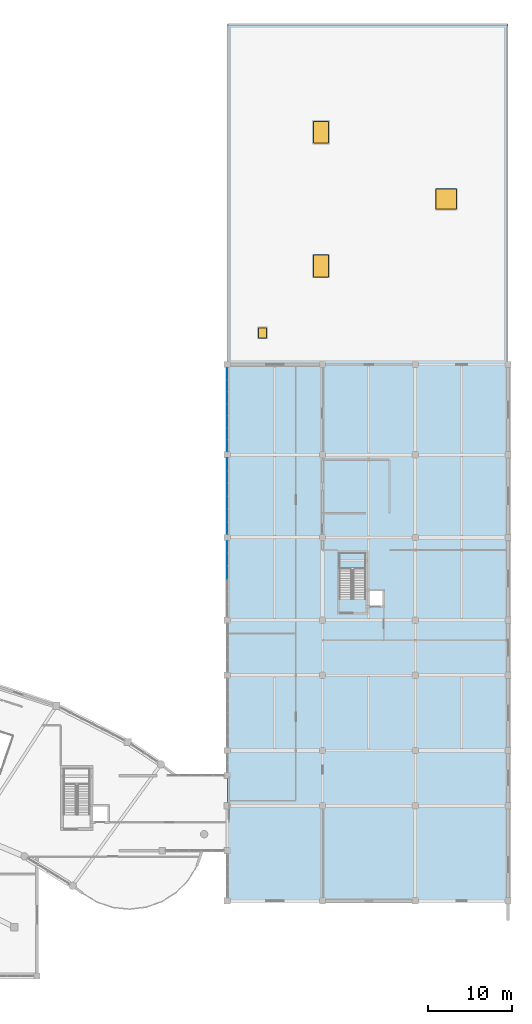
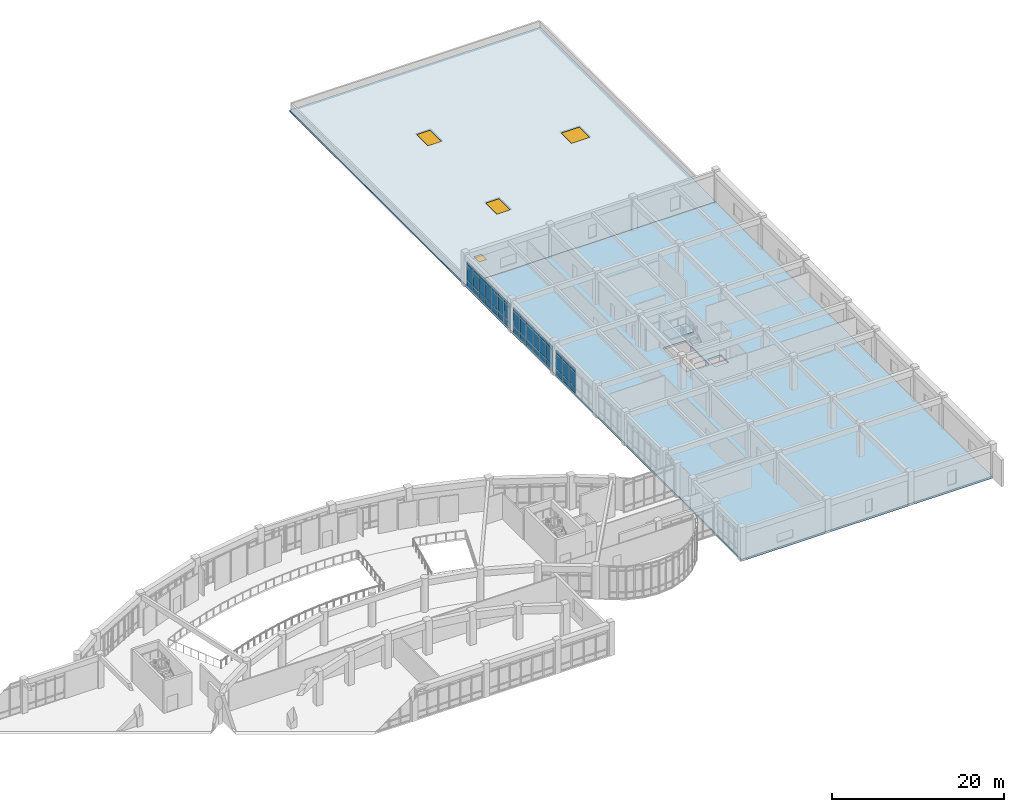
# One storey, part 47 of 68: 48 plates, 3 slabs, 3 windows, 1 door, 4 openings, 4 elements without a shape of their own.
"""IFC4 building model written with IfcOpenShell, lengths in metres."""

from ifc_helpers import new_model, si_unit, direction, frame, origin, origin_2d, place, context, subcontext, project, spatial, polyline, rectangle, outline, extrude, material, layer, layer_set, type_object, element, fill, aggregate, save


model = new_model("IFC4")

# Units and contexts
model_context = context("Model", 3, precision=1e-05, world=origin(), true_north=direction((0.0, 1.0)))
body_context = subcontext(model_context, "Body", "Model", "MODEL_VIEW")
ifc_project = project(units=[si_unit("LENGTHUNIT", "METRE"), si_unit("AREAUNIT", "SQUARE_METRE"), si_unit("VOLUMEUNIT", "CUBIC_METRE"), si_unit("PLANEANGLEUNIT", "RADIAN"), si_unit("MASSUNIT", "GRAM", prefix="KILO")], contexts=[model_context])

# Site, building, storey
site_placement = place(None, origin())
site = spatial("IfcSite", under=ifc_project, at=site_placement, CompositionType="ELEMENT")
building_placement = place(site_placement, origin())
building = spatial("IfcBuilding", under=site, at=building_placement, Name="Miralva Faculty of Natural Sciences", CompositionType="ELEMENT")
storey_placement = place(building_placement, frame((0.0, 0.0, 5.39990234375)))
storey = spatial("IfcBuildingStorey", under=building, at=storey_placement, Name="L01", CompositionType="ELEMENT", Elevation=5.39990234375)

# Curtain wall, plates
ifc_material_1 = material(Name="Laminated solar-control glass", Category="glass")
ifc_layer_1 = layer(ifc_material_1, 0.179931640625, Name="CW-COM-L01")
ifc_layer_set_1 = layer_set([ifc_layer_1], Name="Laminated solar-control glass")
curtain_wall_type = type_object("IfcCurtainWallType", Name="CW-COM-L01", PredefinedType="USERDEFINED", material=ifc_layer_set_1)
curtain_wall_1_placement = place(storey_placement, origin())
curtain_wall_1 = element("IfcCurtainWall", 1, at=curtain_wall_1_placement, inside=storey, type_object=curtain_wall_type, Name="Curtain wall CW-10 L01-265", ObjectType="UNITISED CURTAIN WALL", PredefinedType="USERDEFINED")
ifc_layer_2 = layer(ifc_material_1, 0.028076171875, Name="PNL-P01")
ifc_layer_set_2 = layer_set([ifc_layer_2], Name="Laminated solar-control glass")
plate_type = type_object("IfcPlateType", Name="PNL-P01", PredefinedType="CURTAIN_PANEL", material=ifc_layer_set_2)
plate_1_placement = place(storey_placement, frame((133.800048828125, 51.314208984375, 0.06005859375), z_axis=(0.0, 0.0, 1.0), x_axis=(0.0, 1.0, 0.0)))
plate_1 = element("IfcPlate", 2, at=plate_1_placement, type_object=plate_type, Name="CW-10 panel 4.1", PredefinedType="CURTAIN_PANEL", context=body_context, shape_type="SweptSolid", body=[
    extrude(rectangle(XDim=1.46826171875, YDim=0.028076171875, at=origin_2d()), origin(), (0.0, 0.0, 1.0), 0.81005859375),
])
plate_2_placement = place(storey_placement, frame((133.800048828125, 51.314208984375, 0.93017578125), z_axis=(0.0, 0.0, 1.0), x_axis=(0.0, 1.0, 0.0)))
plate_2 = element("IfcPlate", 3, at=plate_2_placement, type_object=plate_type, Name="CW-10 panel 4.2", PredefinedType="CURTAIN_PANEL", context=body_context, shape_type="SweptSolid", body=[
    extrude(rectangle(XDim=1.46826171875, YDim=0.028076171875, at=origin_2d()), origin(), (0.0, 0.0, 1.0), 2.06494140625),
])
plate_3_placement = place(storey_placement, frame((133.800048828125, 51.314208984375, 3.05517578125), z_axis=(0.0, 0.0, 1.0), x_axis=(0.0, 1.0, 0.0)))
plate_3 = element("IfcPlate", 4, at=plate_3_placement, type_object=plate_type, Name="CW-10 panel 4.3", PredefinedType="CURTAIN_PANEL", context=body_context, shape_type="SweptSolid", body=[
    extrude(rectangle(XDim=1.46826171875, YDim=0.028076171875, at=origin_2d()), origin(), (0.0, 0.0, 1.0), 0.510009765625),
])
plate_4_placement = place(storey_placement, frame((133.800048828125, 52.842529296875, 0.06005859375), z_axis=(0.0, 0.0, 1.0), x_axis=(0.0, 1.0, 0.0)))
plate_4 = element("IfcPlate", 5, at=plate_4_placement, type_object=plate_type, Name="CW-10 panel 5.1", PredefinedType="CURTAIN_PANEL", context=body_context, shape_type="SweptSolid", body=[
    extrude(rectangle(XDim=1.46826171875, YDim=0.028076171875, at=origin_2d()), origin(), (0.0, 0.0, 1.0), 0.81005859375),
])
plate_5_placement = place(storey_placement, frame((133.800048828125, 52.842529296875, 0.93017578125), z_axis=(0.0, 0.0, 1.0), x_axis=(0.0, 1.0, 0.0)))
plate_5 = element("IfcPlate", 6, at=plate_5_placement, type_object=plate_type, Name="CW-10 panel 5.2", PredefinedType="CURTAIN_PANEL", context=body_context, shape_type="SweptSolid", body=[
    extrude(rectangle(XDim=1.46826171875, YDim=0.028076171875, at=origin_2d()), origin(), (0.0, 0.0, 1.0), 2.06494140625),
])
plate_6_placement = place(storey_placement, frame((133.800048828125, 52.842529296875, 3.05517578125), z_axis=(0.0, 0.0, 1.0), x_axis=(0.0, 1.0, 0.0)))
plate_6 = element("IfcPlate", 7, at=plate_6_placement, type_object=plate_type, Name="CW-10 panel 5.3", PredefinedType="CURTAIN_PANEL", context=body_context, shape_type="SweptSolid", body=[
    extrude(rectangle(XDim=1.46826171875, YDim=0.028076171875, at=origin_2d()), origin(), (0.0, 0.0, 1.0), 0.510009765625),
])
plate_7_placement = place(storey_placement, frame((133.800048828125, 54.355712890625, 0.06005859375), z_axis=(0.0, 0.0, 1.0), x_axis=(0.0, 1.0, 0.0)))
plate_7 = element("IfcPlate", 8, at=plate_7_placement, type_object=plate_type, Name="CW-10 panel 6.1", PredefinedType="CURTAIN_PANEL", context=body_context, shape_type="SweptSolid", body=[
    extrude(rectangle(XDim=1.438232421875, YDim=0.028076171875, at=origin_2d()), origin(), (0.0, 0.0, 1.0), 0.81005859375),
])
plate_8_placement = place(storey_placement, frame((133.800048828125, 54.355712890625, 0.93017578125), z_axis=(0.0, 0.0, 1.0), x_axis=(0.0, 1.0, 0.0)))
plate_8 = element("IfcPlate", 9, at=plate_8_placement, type_object=plate_type, Name="CW-10 panel 6.2", PredefinedType="CURTAIN_PANEL", context=body_context, shape_type="SweptSolid", body=[
    extrude(rectangle(XDim=1.438232421875, YDim=0.028076171875, at=origin_2d()), origin(), (0.0, 0.0, 1.0), 2.06494140625),
])
plate_9_placement = place(storey_placement, frame((133.800048828125, 54.355712890625, 3.05517578125), z_axis=(0.0, 0.0, 1.0), x_axis=(0.0, 1.0, 0.0)))
plate_9 = element("IfcPlate", 10, at=plate_9_placement, type_object=plate_type, Name="CW-10 panel 6.3", PredefinedType="CURTAIN_PANEL", context=body_context, shape_type="SweptSolid", body=[
    extrude(rectangle(XDim=1.438232421875, YDim=0.028076171875, at=origin_2d()), origin(), (0.0, 0.0, 1.0), 0.510009765625),
])
aggregate(curtain_wall_1, [plate_1, plate_2, plate_3, plate_4, plate_5, plate_6, plate_7, plate_8, plate_9])

curtain_wall_2_placement = place(storey_placement, origin())
curtain_wall_2 = element("IfcCurtainWall", 11, at=curtain_wall_2_placement, inside=storey, type_object=curtain_wall_type, Name="Curtain wall CW-10 L01-266", ObjectType="UNITISED CURTAIN WALL", PredefinedType="USERDEFINED")
plate_10_placement = place(storey_placement, frame((133.800048828125, 56.644287109375, 0.06005859375), z_axis=(0.0, 0.0, 1.0), x_axis=(0.0, 1.0, 0.0)))
plate_10 = element("IfcPlate", 12, at=plate_10_placement, type_object=plate_type, Name="CW-10 panel 1.1", PredefinedType="CURTAIN_PANEL", context=body_context, shape_type="SweptSolid", body=[
    extrude(rectangle(XDim=1.438232421875, YDim=0.028076171875, at=origin_2d()), origin(), (0.0, 0.0, 1.0), 0.81005859375),
])
plate_11_placement = place(storey_placement, frame((133.800048828125, 56.644287109375, 0.93017578125), z_axis=(0.0, 0.0, 1.0), x_axis=(0.0, 1.0, 0.0)))
plate_11 = element("IfcPlate", 13, at=plate_11_placement, type_object=plate_type, Name="CW-10 panel 1.2", PredefinedType="CURTAIN_PANEL", context=body_context, shape_type="SweptSolid", body=[
    extrude(rectangle(XDim=1.438232421875, YDim=0.028076171875, at=origin_2d()), origin(), (0.0, 0.0, 1.0), 2.06494140625),
])
plate_12_placement = place(storey_placement, frame((133.800048828125, 56.644287109375, 3.05517578125), z_axis=(0.0, 0.0, 1.0), x_axis=(0.0, 1.0, 0.0)))
plate_12 = element("IfcPlate", 14, at=plate_12_placement, type_object=plate_type, Name="CW-10 panel 1.3", PredefinedType="CURTAIN_PANEL", context=body_context, shape_type="SweptSolid", body=[
    extrude(rectangle(XDim=1.438232421875, YDim=0.028076171875, at=origin_2d()), origin(), (0.0, 0.0, 1.0), 0.510009765625),
])
plate_13_placement = place(storey_placement, frame((133.800048828125, 58.157470703125, 0.06005859375), z_axis=(0.0, 0.0, 1.0), x_axis=(0.0, 1.0, 0.0)))
plate_13 = element("IfcPlate", 15, at=plate_13_placement, type_object=plate_type, Name="CW-10 panel 2.1", PredefinedType="CURTAIN_PANEL", context=body_context, shape_type="SweptSolid", body=[
    extrude(rectangle(XDim=1.46826171875, YDim=0.028076171875, at=origin_2d()), origin(), (0.0, 0.0, 1.0), 0.81005859375),
])
plate_14_placement = place(storey_placement, frame((133.800048828125, 58.157470703125, 0.93017578125), z_axis=(0.0, 0.0, 1.0), x_axis=(0.0, 1.0, 0.0)))
plate_14 = element("IfcPlate", 16, at=plate_14_placement, type_object=plate_type, Name="CW-10 panel 2.2", PredefinedType="CURTAIN_PANEL", context=body_context, shape_type="SweptSolid", body=[
    extrude(rectangle(XDim=1.46826171875, YDim=0.028076171875, at=origin_2d()), origin(), (0.0, 0.0, 1.0), 2.06494140625),
])
plate_15_placement = place(storey_placement, frame((133.800048828125, 58.157470703125, 3.05517578125), z_axis=(0.0, 0.0, 1.0), x_axis=(0.0, 1.0, 0.0)))
plate_15 = element("IfcPlate", 17, at=plate_15_placement, type_object=plate_type, Name="CW-10 panel 2.3", PredefinedType="CURTAIN_PANEL", context=body_context, shape_type="SweptSolid", body=[
    extrude(rectangle(XDim=1.46826171875, YDim=0.028076171875, at=origin_2d()), origin(), (0.0, 0.0, 1.0), 0.510009765625),
])
plate_16_placement = place(storey_placement, frame((133.800048828125, 59.685791015625, 0.06005859375), z_axis=(0.0, 0.0, 1.0), x_axis=(0.0, 1.0, 0.0)))
plate_16 = element("IfcPlate", 18, at=plate_16_placement, type_object=plate_type, Name="CW-10 panel 3.1", PredefinedType="CURTAIN_PANEL", context=body_context, shape_type="SweptSolid", body=[
    extrude(rectangle(XDim=1.46826171875, YDim=0.028076171875, at=origin_2d()), origin(), (0.0, 0.0, 1.0), 0.81005859375),
])
plate_17_placement = place(storey_placement, frame((133.800048828125, 59.685791015625, 0.93017578125), z_axis=(0.0, 0.0, 1.0), x_axis=(0.0, 1.0, 0.0)))
plate_17 = element("IfcPlate", 19, at=plate_17_placement, type_object=plate_type, Name="CW-10 panel 3.2", PredefinedType="CURTAIN_PANEL", context=body_context, shape_type="SweptSolid", body=[
    extrude(rectangle(XDim=1.46826171875, YDim=0.028076171875, at=origin_2d()), origin(), (0.0, 0.0, 1.0), 2.06494140625),
])
plate_18_placement = place(storey_placement, frame((133.800048828125, 59.685791015625, 3.05517578125), z_axis=(0.0, 0.0, 1.0), x_axis=(0.0, 1.0, 0.0)))
plate_18 = element("IfcPlate", 20, at=plate_18_placement, type_object=plate_type, Name="CW-10 panel 3.3", PredefinedType="CURTAIN_PANEL", context=body_context, shape_type="SweptSolid", body=[
    extrude(rectangle(XDim=1.46826171875, YDim=0.028076171875, at=origin_2d()), origin(), (0.0, 0.0, 1.0), 0.510009765625),
])
plate_19_placement = place(storey_placement, frame((133.800048828125, 61.214111328125, 0.06005859375), z_axis=(0.0, 0.0, 1.0), x_axis=(0.0, 1.0, 0.0)))
plate_19 = element("IfcPlate", 21, at=plate_19_placement, type_object=plate_type, Name="CW-10 panel 4.1", PredefinedType="CURTAIN_PANEL", context=body_context, shape_type="SweptSolid", body=[
    extrude(rectangle(XDim=1.46826171875, YDim=0.028076171875, at=origin_2d()), origin(), (0.0, 0.0, 1.0), 0.81005859375),
])
plate_20_placement = place(storey_placement, frame((133.800048828125, 61.214111328125, 0.93017578125), z_axis=(0.0, 0.0, 1.0), x_axis=(0.0, 1.0, 0.0)))
plate_20 = element("IfcPlate", 22, at=plate_20_placement, type_object=plate_type, Name="CW-10 panel 4.2", PredefinedType="CURTAIN_PANEL", context=body_context, shape_type="SweptSolid", body=[
    extrude(rectangle(XDim=1.46826171875, YDim=0.028076171875, at=origin_2d()), origin(), (0.0, 0.0, 1.0), 2.06494140625),
])
plate_21_placement = place(storey_placement, frame((133.800048828125, 61.214111328125, 3.05517578125), z_axis=(0.0, 0.0, 1.0), x_axis=(0.0, 1.0, 0.0)))
plate_21 = element("IfcPlate", 23, at=plate_21_placement, type_object=plate_type, Name="CW-10 panel 4.3", PredefinedType="CURTAIN_PANEL", context=body_context, shape_type="SweptSolid", body=[
    extrude(rectangle(XDim=1.46826171875, YDim=0.028076171875, at=origin_2d()), origin(), (0.0, 0.0, 1.0), 0.510009765625),
])
plate_22_placement = place(storey_placement, frame((133.800048828125, 62.742431640625, 0.06005859375), z_axis=(0.0, 0.0, 1.0), x_axis=(0.0, 1.0, 0.0)))
plate_22 = element("IfcPlate", 24, at=plate_22_placement, type_object=plate_type, Name="CW-10 panel 5.1", PredefinedType="CURTAIN_PANEL", context=body_context, shape_type="SweptSolid", body=[
    extrude(rectangle(XDim=1.46826171875, YDim=0.028076171875, at=origin_2d()), origin(), (0.0, 0.0, 1.0), 0.81005859375),
])
plate_23_placement = place(storey_placement, frame((133.800048828125, 62.742431640625, 0.93017578125), z_axis=(0.0, 0.0, 1.0), x_axis=(0.0, 1.0, 0.0)))
plate_23 = element("IfcPlate", 25, at=plate_23_placement, type_object=plate_type, Name="CW-10 panel 5.2", PredefinedType="CURTAIN_PANEL", context=body_context, shape_type="SweptSolid", body=[
    extrude(rectangle(XDim=1.46826171875, YDim=0.028076171875, at=origin_2d()), origin(), (0.0, 0.0, 1.0), 2.06494140625),
])
plate_24_placement = place(storey_placement, frame((133.800048828125, 62.742431640625, 3.05517578125), z_axis=(0.0, 0.0, 1.0), x_axis=(0.0, 1.0, 0.0)))
plate_24 = element("IfcPlate", 26, at=plate_24_placement, type_object=plate_type, Name="CW-10 panel 5.3", PredefinedType="CURTAIN_PANEL", context=body_context, shape_type="SweptSolid", body=[
    extrude(rectangle(XDim=1.46826171875, YDim=0.028076171875, at=origin_2d()), origin(), (0.0, 0.0, 1.0), 0.510009765625),
])
plate_25_placement = place(storey_placement, frame((133.800048828125, 64.255859375, 0.06005859375), z_axis=(0.0, 0.0, 1.0), x_axis=(0.0, 1.0, 0.0)))
plate_25 = element("IfcPlate", 27, at=plate_25_placement, type_object=plate_type, Name="CW-10 panel 6.1", PredefinedType="CURTAIN_PANEL", context=body_context, shape_type="SweptSolid", body=[
    extrude(rectangle(XDim=1.438232421875, YDim=0.028076171875, at=origin_2d()), origin(), (0.0, 0.0, 1.0), 0.81005859375),
])
plate_26_placement = place(storey_placement, frame((133.800048828125, 64.255859375, 0.93017578125), z_axis=(0.0, 0.0, 1.0), x_axis=(0.0, 1.0, 0.0)))
plate_26 = element("IfcPlate", 28, at=plate_26_placement, type_object=plate_type, Name="CW-10 panel 6.2", PredefinedType="CURTAIN_PANEL", context=body_context, shape_type="SweptSolid", body=[
    extrude(rectangle(XDim=1.438232421875, YDim=0.028076171875, at=origin_2d()), origin(), (0.0, 0.0, 1.0), 2.06494140625),
])
plate_27_placement = place(storey_placement, frame((133.800048828125, 64.255859375, 3.05517578125), z_axis=(0.0, 0.0, 1.0), x_axis=(0.0, 1.0, 0.0)))
plate_27 = element("IfcPlate", 29, at=plate_27_placement, type_object=plate_type, Name="CW-10 panel 6.3", PredefinedType="CURTAIN_PANEL", context=body_context, shape_type="SweptSolid", body=[
    extrude(rectangle(XDim=1.438232421875, YDim=0.028076171875, at=origin_2d()), origin(), (0.0, 0.0, 1.0), 0.510009765625),
])
aggregate(curtain_wall_2, [plate_10, plate_11, plate_12, plate_13, plate_14, plate_15, plate_16, plate_17, plate_18, plate_19, plate_20, plate_21, plate_22, plate_23, plate_24, plate_25, plate_26, plate_27])

curtain_wall_3_placement = place(storey_placement, origin())
curtain_wall_3 = element("IfcCurtainWall", 30, at=curtain_wall_3_placement, inside=storey, type_object=curtain_wall_type, Name="Curtain wall CW-10 L01-267", ObjectType="UNITISED CURTAIN WALL", PredefinedType="USERDEFINED")
plate_28_placement = place(storey_placement, frame((133.800048828125, 66.499267578125, 0.06005859375), z_axis=(0.0, 0.0, 1.0), x_axis=(0.0, 1.0, 0.0)))
plate_28 = element("IfcPlate", 31, at=plate_28_placement, type_object=plate_type, Name="CW-10 panel 1.1", PredefinedType="CURTAIN_PANEL", context=body_context, shape_type="SweptSolid", body=[
    extrude(rectangle(XDim=1.3486328125, YDim=0.028076171875, at=origin_2d()), origin(), (0.0, 0.0, 1.0), 0.81005859375),
])
plate_29_placement = place(storey_placement, frame((133.800048828125, 66.499267578125, 0.93017578125), z_axis=(0.0, 0.0, 1.0), x_axis=(0.0, 1.0, 0.0)))
plate_29 = element("IfcPlate", 32, at=plate_29_placement, type_object=plate_type, Name="CW-10 panel 1.2", PredefinedType="CURTAIN_PANEL", context=body_context, shape_type="SweptSolid", body=[
    extrude(rectangle(XDim=1.3486328125, YDim=0.028076171875, at=origin_2d()), origin(), (0.0, 0.0, 1.0), 2.06494140625),
])
plate_30_placement = place(storey_placement, frame((133.800048828125, 66.499267578125, 3.05517578125), z_axis=(0.0, 0.0, 1.0), x_axis=(0.0, 1.0, 0.0)))
plate_30 = element("IfcPlate", 33, at=plate_30_placement, type_object=plate_type, Name="CW-10 panel 1.3", PredefinedType="CURTAIN_PANEL", context=body_context, shape_type="SweptSolid", body=[
    extrude(rectangle(XDim=1.3486328125, YDim=0.028076171875, at=origin_2d()), origin(), (0.0, 0.0, 1.0), 0.510009765625),
])
plate_31_placement = place(storey_placement, frame((133.800048828125, 67.9228515625, 0.06005859375), z_axis=(0.0, 0.0, 1.0), x_axis=(0.0, 1.0, 0.0)))
plate_31 = element("IfcPlate", 34, at=plate_31_placement, type_object=plate_type, Name="CW-10 panel 2.1", PredefinedType="CURTAIN_PANEL", context=body_context, shape_type="SweptSolid", body=[
    extrude(rectangle(XDim=1.378662109375, YDim=0.028076171875, at=origin_2d()), origin(), (0.0, 0.0, 1.0), 0.81005859375),
])
plate_32_placement = place(storey_placement, frame((133.800048828125, 67.9228515625, 0.93017578125), z_axis=(0.0, 0.0, 1.0), x_axis=(0.0, 1.0, 0.0)))
plate_32 = element("IfcPlate", 35, at=plate_32_placement, type_object=plate_type, Name="CW-10 panel 2.2", PredefinedType="CURTAIN_PANEL", context=body_context, shape_type="SweptSolid", body=[
    extrude(rectangle(XDim=1.378662109375, YDim=0.028076171875, at=origin_2d()), origin(), (0.0, 0.0, 1.0), 2.06494140625),
])
plate_33_placement = place(storey_placement, frame((133.800048828125, 67.9228515625, 3.05517578125), z_axis=(0.0, 0.0, 1.0), x_axis=(0.0, 1.0, 0.0)))
plate_33 = element("IfcPlate", 36, at=plate_33_placement, type_object=plate_type, Name="CW-10 panel 2.3", PredefinedType="CURTAIN_PANEL", context=body_context, shape_type="SweptSolid", body=[
    extrude(rectangle(XDim=1.378662109375, YDim=0.028076171875, at=origin_2d()), origin(), (0.0, 0.0, 1.0), 0.510009765625),
])
plate_34_placement = place(storey_placement, frame((133.800048828125, 69.361328125, 0.06005859375), z_axis=(0.0, 0.0, 1.0), x_axis=(0.0, 1.0, 0.0)))
plate_34 = element("IfcPlate", 37, at=plate_34_placement, type_object=plate_type, Name="CW-10 panel 3.1", PredefinedType="CURTAIN_PANEL", context=body_context, shape_type="SweptSolid", body=[
    extrude(rectangle(XDim=1.378662109375, YDim=0.028076171875, at=origin_2d()), origin(), (0.0, 0.0, 1.0), 0.81005859375),
])
plate_35_placement = place(storey_placement, frame((133.800048828125, 69.361328125, 0.93017578125), z_axis=(0.0, 0.0, 1.0), x_axis=(0.0, 1.0, 0.0)))
plate_35 = element("IfcPlate", 38, at=plate_35_placement, type_object=plate_type, Name="CW-10 panel 3.2", PredefinedType="CURTAIN_PANEL", context=body_context, shape_type="SweptSolid", body=[
    extrude(rectangle(XDim=1.378662109375, YDim=0.028076171875, at=origin_2d()), origin(), (0.0, 0.0, 1.0), 2.06494140625),
])
plate_36_placement = place(storey_placement, frame((133.800048828125, 69.361328125, 3.05517578125), z_axis=(0.0, 0.0, 1.0), x_axis=(0.0, 1.0, 0.0)))
plate_36 = element("IfcPlate", 39, at=plate_36_placement, type_object=plate_type, Name="CW-10 panel 3.3", PredefinedType="CURTAIN_PANEL", context=body_context, shape_type="SweptSolid", body=[
    extrude(rectangle(XDim=1.378662109375, YDim=0.028076171875, at=origin_2d()), origin(), (0.0, 0.0, 1.0), 0.510009765625),
])
plate_37_placement = place(storey_placement, frame((133.800048828125, 70.800048828125, 0.06005859375), z_axis=(0.0, 0.0, 1.0), x_axis=(0.0, 1.0, 0.0)))
plate_37 = element("IfcPlate", 40, at=plate_37_placement, type_object=plate_type, Name="CW-10 panel 4.1", PredefinedType="CURTAIN_PANEL", context=body_context, shape_type="SweptSolid", body=[
    extrude(rectangle(XDim=1.378662109375, YDim=0.028076171875, at=origin_2d()), origin(), (0.0, 0.0, 1.0), 0.81005859375),
])
plate_38_placement = place(storey_placement, frame((133.800048828125, 70.800048828125, 0.93017578125), z_axis=(0.0, 0.0, 1.0), x_axis=(0.0, 1.0, 0.0)))
plate_38 = element("IfcPlate", 41, at=plate_38_placement, type_object=plate_type, Name="CW-10 panel 4.2", PredefinedType="CURTAIN_PANEL", context=body_context, shape_type="SweptSolid", body=[
    extrude(rectangle(XDim=1.378662109375, YDim=0.028076171875, at=origin_2d()), origin(), (0.0, 0.0, 1.0), 2.06494140625),
])
plate_39_placement = place(storey_placement, frame((133.800048828125, 70.800048828125, 3.05517578125), z_axis=(0.0, 0.0, 1.0), x_axis=(0.0, 1.0, 0.0)))
plate_39 = element("IfcPlate", 42, at=plate_39_placement, type_object=plate_type, Name="CW-10 panel 4.3", PredefinedType="CURTAIN_PANEL", context=body_context, shape_type="SweptSolid", body=[
    extrude(rectangle(XDim=1.378662109375, YDim=0.028076171875, at=origin_2d()), origin(), (0.0, 0.0, 1.0), 0.510009765625),
])
plate_40_placement = place(storey_placement, frame((133.800048828125, 72.238525390625, 0.06005859375), z_axis=(0.0, 0.0, 1.0), x_axis=(0.0, 1.0, 0.0)))
plate_40 = element("IfcPlate", 43, at=plate_40_placement, type_object=plate_type, Name="CW-10 panel 5.1", PredefinedType="CURTAIN_PANEL", context=body_context, shape_type="SweptSolid", body=[
    extrude(rectangle(XDim=1.378662109375, YDim=0.028076171875, at=origin_2d()), origin(), (0.0, 0.0, 1.0), 0.81005859375),
])
plate_41_placement = place(storey_placement, frame((133.800048828125, 72.238525390625, 0.93017578125), z_axis=(0.0, 0.0, 1.0), x_axis=(0.0, 1.0, 0.0)))
plate_41 = element("IfcPlate", 44, at=plate_41_placement, type_object=plate_type, Name="CW-10 panel 5.2", PredefinedType="CURTAIN_PANEL", context=body_context, shape_type="SweptSolid", body=[
    extrude(rectangle(XDim=1.378662109375, YDim=0.028076171875, at=origin_2d()), origin(), (0.0, 0.0, 1.0), 2.06494140625),
])
plate_42_placement = place(storey_placement, frame((133.800048828125, 72.238525390625, 3.05517578125), z_axis=(0.0, 0.0, 1.0), x_axis=(0.0, 1.0, 0.0)))
plate_42 = element("IfcPlate", 45, at=plate_42_placement, type_object=plate_type, Name="CW-10 panel 5.3", PredefinedType="CURTAIN_PANEL", context=body_context, shape_type="SweptSolid", body=[
    extrude(rectangle(XDim=1.378662109375, YDim=0.028076171875, at=origin_2d()), origin(), (0.0, 0.0, 1.0), 0.510009765625),
])
plate_43_placement = place(storey_placement, frame((133.800048828125, 73.67724609375, 0.06005859375), z_axis=(0.0, 0.0, 1.0), x_axis=(0.0, 1.0, 0.0)))
plate_43 = element("IfcPlate", 46, at=plate_43_placement, type_object=plate_type, Name="CW-10 panel 6.1", PredefinedType="CURTAIN_PANEL", context=body_context, shape_type="SweptSolid", body=[
    extrude(rectangle(XDim=1.378662109375, YDim=0.028076171875, at=origin_2d()), origin(), (0.0, 0.0, 1.0), 0.81005859375),
])
plate_44_placement = place(storey_placement, frame((133.800048828125, 73.67724609375, 0.93017578125), z_axis=(0.0, 0.0, 1.0), x_axis=(0.0, 1.0, 0.0)))
plate_44 = element("IfcPlate", 47, at=plate_44_placement, type_object=plate_type, Name="CW-10 panel 6.2", PredefinedType="CURTAIN_PANEL", context=body_context, shape_type="SweptSolid", body=[
    extrude(rectangle(XDim=1.378662109375, YDim=0.028076171875, at=origin_2d()), origin(), (0.0, 0.0, 1.0), 2.06494140625),
])
plate_45_placement = place(storey_placement, frame((133.800048828125, 73.67724609375, 3.05517578125), z_axis=(0.0, 0.0, 1.0), x_axis=(0.0, 1.0, 0.0)))
plate_45 = element("IfcPlate", 48, at=plate_45_placement, type_object=plate_type, Name="CW-10 panel 6.3", PredefinedType="CURTAIN_PANEL", context=body_context, shape_type="SweptSolid", body=[
    extrude(rectangle(XDim=1.378662109375, YDim=0.028076171875, at=origin_2d()), origin(), (0.0, 0.0, 1.0), 0.510009765625),
])
plate_46_placement = place(storey_placement, frame((133.800048828125, 75.100830078125, 0.06005859375), z_axis=(0.0, 0.0, 1.0), x_axis=(0.0, 1.0, 0.0)))
plate_46 = element("IfcPlate", 49, at=plate_46_placement, type_object=plate_type, Name="CW-10 panel 7.1", PredefinedType="CURTAIN_PANEL", context=body_context, shape_type="SweptSolid", body=[
    extrude(rectangle(XDim=1.3486328125, YDim=0.028076171875, at=origin_2d()), origin(), (0.0, 0.0, 1.0), 0.81005859375),
])
plate_47_placement = place(storey_placement, frame((133.800048828125, 75.100830078125, 0.93017578125), z_axis=(0.0, 0.0, 1.0), x_axis=(0.0, 1.0, 0.0)))
plate_47 = element("IfcPlate", 50, at=plate_47_placement, type_object=plate_type, Name="CW-10 panel 7.2", PredefinedType="CURTAIN_PANEL", context=body_context, shape_type="SweptSolid", body=[
    extrude(rectangle(XDim=1.3486328125, YDim=0.028076171875, at=origin_2d()), origin(), (0.0, 0.0, 1.0), 2.06494140625),
])
plate_48_placement = place(storey_placement, frame((133.800048828125, 75.100830078125, 3.05517578125), z_axis=(0.0, 0.0, 1.0), x_axis=(0.0, 1.0, 0.0)))
plate_48 = element("IfcPlate", 51, at=plate_48_placement, type_object=plate_type, Name="CW-10 panel 7.3", PredefinedType="CURTAIN_PANEL", context=body_context, shape_type="SweptSolid", body=[
    extrude(rectangle(XDim=1.3486328125, YDim=0.028076171875, at=origin_2d()), origin(), (0.0, 0.0, 1.0), 0.510009765625),
])
aggregate(curtain_wall_3, [plate_28, plate_29, plate_30, plate_31, plate_32, plate_33, plate_34, plate_35, plate_36, plate_37, plate_38, plate_39, plate_40, plate_41, plate_42, plate_43, plate_44, plate_45, plate_46, plate_47, plate_48])

# Slab
ifc_material_2 = material(Name="Concrete C40/50", Category="concrete")
ifc_layer_3 = layer(ifc_material_2, 0.280029296875, Name="SL-FL02")
ifc_layer_set_3 = layer_set([ifc_layer_3], Name="Concrete C40/50")
slab_type_1 = type_object("IfcSlabType", Name="SL-FL02", PredefinedType="FLOOR", material=ifc_layer_set_3)
slab_1_placement = place(storey_placement, frame((0.0, 0.0, -0.27978515625)))
element("IfcSlab", 52, at=slab_1_placement, inside=storey, type_object=slab_type_1, Name="V2 L01 floor slab", PredefinedType="FLOOR", context=body_context, shape_type="SweptSolid", body=[
    extrude(outline(polyline([(167.39990234375, 12.0), (133.800048828125, 12.0), (133.800048828125, 76.199951171875), (167.39990234375, 76.199951171875), (167.39990234375, 12.0)]), holes=[polyline([(150.324951171875, 48.125), (147.22509765625, 48.125), (147.22509765625, 53.625), (150.324951171875, 53.625), (150.324951171875, 48.125)]), polyline([(152.39990234375, 47.324951171875), (150.60009765625, 47.324951171875), (150.60009765625, 49.074951171875), (152.39990234375, 49.074951171875), (152.39990234375, 47.324951171875)])]), origin(), (0.0, 0.0, 1.0), 0.27978515625),
])

# Stair, slab
stair_type = type_object("IfcStairType", Name="ST-CORE-480", PredefinedType="HALF_TURN_STAIR", material=ifc_material_2)
stair_placement = place(storey_placement, origin())
stair = element("IfcStair", 53, at=stair_placement, inside=storey, type_object=stair_type, Name="Exit Stair Core C4 (ST-02) L01", PredefinedType="HALF_TURN_STAIR")
ifc_layer_4 = layer(ifc_material_2, 0.18994140625, Name="SL-LD01")
ifc_layer_set_4 = layer_set([ifc_layer_4], Name="Concrete C40/50")
slab_type_2 = type_object("IfcSlabType", Name="SL-LD01", PredefinedType="LANDING", material=ifc_layer_set_4)
slab_2_placement = place(storey_placement, frame((0.0, 0.0, 2.210205078125)))
slab_2 = element("IfcSlab", 54, at=slab_2_placement, type_object=slab_type_2, Name="ST-02 landing 1", PredefinedType="LANDING", context=body_context, shape_type="SweptSolid", body=[
    extrude(outline(polyline([(150.35009765625, 51.739990234375), (150.35009765625, 53.64990234375), (147.199951171875, 53.64990234375), (147.199951171875, 51.739990234375), (150.35009765625, 51.739990234375)])), origin(), (0.0, 0.0, 1.0), 0.18994140625),
])
aggregate(stair, [slab_2])

# Slab, openings, door, windows
ifc_layer_5 = layer(ifc_material_2, 0.25, Name="SL-RF01")
ifc_layer_set_5 = layer_set([ifc_layer_5], Name="Concrete C40/50")
slab_type_3 = type_object("IfcSlabType", Name="SL-RF01", PredefinedType="ROOF", material=ifc_layer_set_5)
slab_3_placement = place(storey_placement, frame((0.0, 0.0, -0.25)))
slab_3 = element("IfcSlab", 55, at=slab_3_placement, inside=storey, type_object=slab_type_3, Name="Botanical Pavilion Roof Slab", PredefinedType="ROOF", context=body_context, shape_type="SweptSolid", body=[
    extrude(outline(polyline([(167.39990234375, 76.199951171875), (133.800048828125, 76.199951171875), (133.800048828125, 117.0), (167.39990234375, 117.0), (167.39990234375, 76.199951171875)])), origin(), (0.0, 0.0, 1.0), 0.25),
])
opening_1_placement = place(slab_3_placement, frame((145.0, 88.0, 0.0)))
opening_1 = element("IfcOpeningElement", 56, at=opening_1_placement, cuts=slab_3, Name="Opening SK-03", PredefinedType="OPENING", context=body_context, shape_type="SweptSolid", body=[
    extrude(rectangle(XDim=1.800048828125, YDim=2.60009765625, at=origin_2d()), frame((0.0, 0.0, -0.010009765625)), (0.0, 0.0, 1.0), 0.27001953125),
])
opening_2_placement = place(slab_3_placement, frame((145.0, 104.0, 0.0)))
opening_2 = element("IfcOpeningElement", 57, at=opening_2_placement, cuts=slab_3, Name="Opening SK-03", PredefinedType="OPENING", context=body_context, shape_type="SweptSolid", body=[
    extrude(rectangle(XDim=1.800048828125, YDim=2.60009765625, at=origin_2d()), frame((0.0, 0.0, -0.010009765625)), (0.0, 0.0, 1.0), 0.27001953125),
])
opening_3_placement = place(slab_3_placement, frame((160.0, 96.0, 0.0)))
opening_3 = element("IfcOpeningElement", 58, at=opening_3_placement, cuts=slab_3, Name="Opening SK-01", PredefinedType="OPENING", context=body_context, shape_type="SweptSolid", body=[
    extrude(rectangle(XDim=2.39990234375, YDim=2.39990234375, at=origin_2d()), frame((0.0, 0.0, -0.010009765625)), (0.0, 0.0, 1.0), 0.27001953125),
])
opening_4_placement = place(slab_3_placement, frame((138.0, 80.0, 0.0)))
opening_4 = element("IfcOpeningElement", 59, at=opening_4_placement, cuts=slab_3, Name="Opening D-08", PredefinedType="OPENING", context=body_context, shape_type="SweptSolid", body=[
    extrude(rectangle(XDim=1.0, YDim=1.199951171875, at=origin_2d()), frame((0.0, 0.0, -0.010009765625)), (0.0, 0.0, 1.0), 0.27001953125),
])
ifc_material_3 = material(Name="Galvanised steel", Category="steel")
door_type = type_object("IfcDoorType", Name="DR-HT01", OperationType="SINGLE_SWING_LEFT", PredefinedType="TRAPDOOR", material=ifc_material_3)
door_placement = place(opening_4_placement, frame((0.0, 0.0, 0.199951171875)))
door = element("IfcDoor", 60, at=door_placement, inside=storey, type_object=door_type, Name="Roof opening D-08 L01-13", OperationType="SINGLE_SWING_LEFT", OverallHeight=1.199951171875, OverallWidth=1.0, PredefinedType="TRAPDOOR", context=body_context, shape_type="SweptSolid", body=[
    extrude(rectangle(XDim=1.0, YDim=1.199951171875, at=origin_2d()), origin(), (0.0, 0.0, 1.0), 0.050048828125),
])
fill(opening_4, door)
window_type_1 = type_object("IfcWindowType", Name="WN-SK01", PartitioningType="SINGLE_PANEL", PredefinedType="SKYLIGHT", material=ifc_material_1)
window_1_placement = place(opening_3_placement, frame((0.0, 0.0, 0.199951171875)))
window_1 = element("IfcWindow", 61, at=window_1_placement, inside=storey, type_object=window_type_1, Name="Roof opening SK-01 L01-3", OverallHeight=2.39990234375, OverallWidth=2.39990234375, PartitioningType="SINGLE_PANEL", PredefinedType="SKYLIGHT", context=body_context, shape_type="SweptSolid", body=[
    extrude(rectangle(XDim=2.39990234375, YDim=2.39990234375, at=origin_2d()), origin(), (0.0, 0.0, 1.0), 0.050048828125),
])
fill(opening_3, window_1)
window_type_2 = type_object("IfcWindowType", Name="WN-SK03", PartitioningType="SINGLE_PANEL", PredefinedType="SKYLIGHT", material=ifc_material_1)
window_2_placement = place(opening_1_placement, frame((0.0, 0.0, 0.199951171875)))
window_2 = element("IfcWindow", 62, at=window_2_placement, inside=storey, type_object=window_type_2, Name="Roof opening SK-03 L01-1", OverallHeight=2.60009765625, OverallWidth=1.800048828125, PartitioningType="SINGLE_PANEL", PredefinedType="SKYLIGHT", context=body_context, shape_type="SweptSolid", body=[
    extrude(rectangle(XDim=1.800048828125, YDim=2.60009765625, at=origin_2d()), origin(), (0.0, 0.0, 1.0), 0.050048828125),
])
fill(opening_1, window_2)
window_3_placement = place(opening_2_placement, frame((0.0, 0.0, 0.199951171875)))
window_3 = element("IfcWindow", 63, at=window_3_placement, inside=storey, type_object=window_type_2, Name="Roof opening SK-03 L01-2", OverallHeight=2.60009765625, OverallWidth=1.800048828125, PartitioningType="SINGLE_PANEL", PredefinedType="SKYLIGHT", context=body_context, shape_type="SweptSolid", body=[
    extrude(rectangle(XDim=1.800048828125, YDim=2.60009765625, at=origin_2d()), origin(), (0.0, 0.0, 1.0), 0.050048828125),
])
fill(opening_2, window_3)

save(model, "model.ifc")
